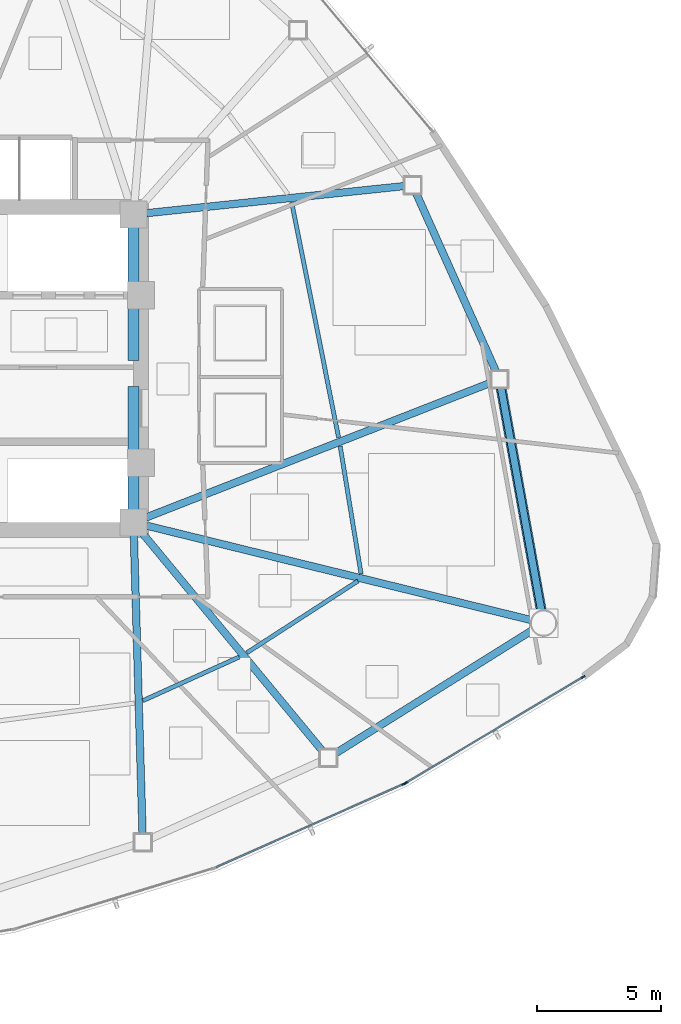
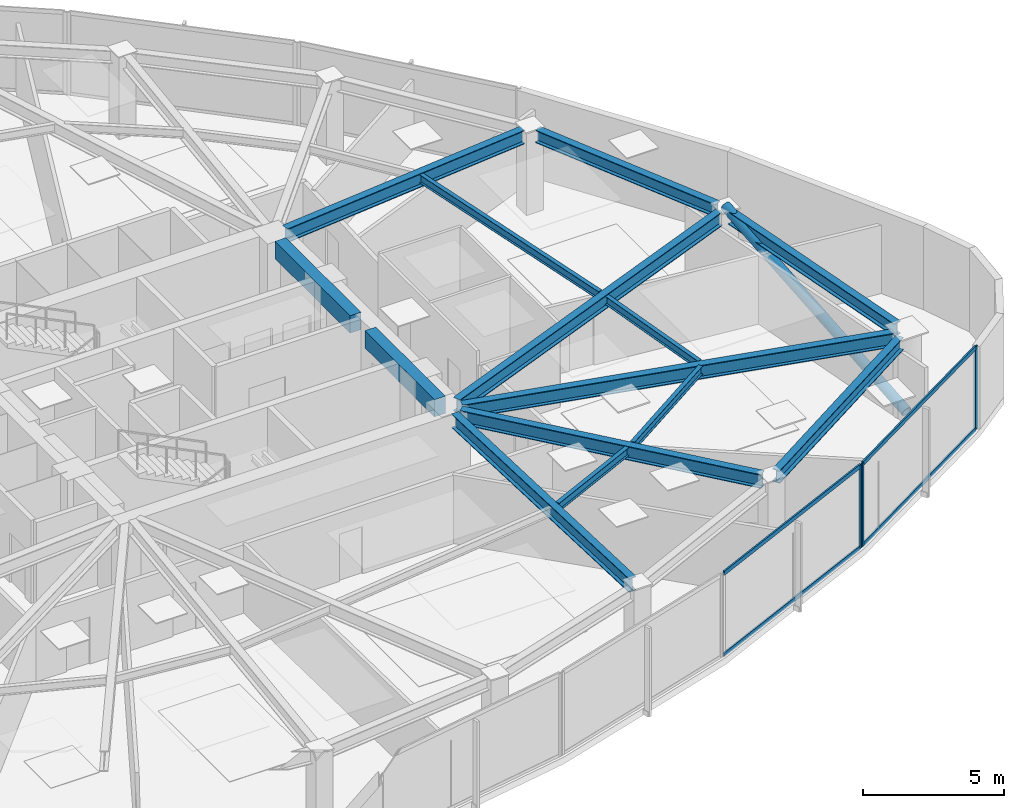
# One storey, part 6 of 17: 14 beams, 8 members, 2 elements without a shape of their own.
"""IFC4 building model written with IfcOpenShell, lengths in metres."""

from ifc_helpers import new_model, si_unit, direction, frame, origin, origin_2d, place, context, subcontext, project, spatial, rectangle, hollow_rectangle, hollow_circle, i_section, extrude, source, transform, mapped, material, layer, layer_set, material_profile, profile_set, type_object, type_shapes, element, aggregate, save


model = new_model("IFC4")

# Units and contexts
model_context = context("Model", 3, precision=1e-05, world=origin(), true_north=direction((0.0, 1.0)))
body_context = subcontext(model_context, "Body", "Model", "MODEL_VIEW")
ifc_project = project(units=[si_unit("LENGTHUNIT", "METRE"), si_unit("AREAUNIT", "SQUARE_METRE"), si_unit("VOLUMEUNIT", "CUBIC_METRE"), si_unit("PLANEANGLEUNIT", "RADIAN"), si_unit("MASSUNIT", "GRAM", prefix="KILO")], contexts=[model_context])

# Site, building, storey
site_placement = place(None, origin())
site = spatial("IfcSite", under=ifc_project, at=site_placement, CompositionType="ELEMENT")
building_placement = place(site_placement, origin())
building = spatial("IfcBuilding", under=site, at=building_placement, Name="Tavelor Broadcast Tower", CompositionType="ELEMENT")
storey_placement = place(building_placement, frame((0.0, 0.0, 82.199951171875)))
storey = spatial("IfcBuildingStorey", under=building, at=storey_placement, Name="L19", CompositionType="ELEMENT", Elevation=82.199951171875)

# Beams
ifc_material_1 = material(Name="Concrete C40/50", Category="concrete")
ifc_material_profile_1 = material_profile(ifc_material_1, rectangle(XDim=0.449951171875, YDim=0.75, at=origin_2d()), Name="RC 450x750")
ifc_profile_set_1 = profile_set([ifc_material_profile_1], Name="Concrete C40/50")
beam_type_1 = type_object("IfcBeamType", Name="Basement Core Trim Beam 450x750", PredefinedType="BEAM", material=ifc_profile_set_1)
beam_1_placement = place(storey_placement, frame((56.60009765625, 45.327880859375, 3.22509765625), z_axis=(0.0, 1.0, 0.0), x_axis=(-1.0, 0.0, 0.0)))
element("IfcBeam", 1, at=beam_1_placement, inside=storey, type_object=beam_type_1, Name="L19 Core East-N Tie Girder", PredefinedType="BEAM", context=body_context, shape_type="SweptSolid", body=[
    extrude(rectangle(XDim=0.449951171875, YDim=0.75, at=origin_2d()), origin(), (0.0, 0.0, 1.0), 5.34423828125),
])
beam_2_placement = place(storey_placement, frame((56.60009765625, 39.327880859375, 3.22509765625), z_axis=(0.0, 1.0, 0.0), x_axis=(-1.0, 0.0, 0.0)))
element("IfcBeam", 2, at=beam_2_placement, inside=storey, type_object=beam_type_1, Name="L19 Core East-S Tie Girder", PredefinedType="BEAM", context=body_context, shape_type="SweptSolid", body=[
    extrude(rectangle(XDim=0.449951171875, YDim=0.75, at=origin_2d()), origin(), (0.0, 0.0, 1.0), 4.944091796875),
])
ifc_material_2 = material(Name="Steel S355", Category="steel")
ifc_material_profile_2 = material_profile(ifc_material_2, i_section(OverallWidth=0.169921875, OverallDepth=0.360107421875, WebThickness=0.008056640625, FlangeThickness=0.0126953125, at=origin_2d()), Name="IPE 360")
ifc_profile_set_2 = profile_set([ifc_material_profile_2], Name="Steel S355")
beam_type_2 = type_object("IfcBeamType", Name="Composite Floor Joist T2 IPE 360", PredefinedType="JOIST", material=ifc_profile_set_2)
beam_3_placement = place(storey_placement, frame((56.976318359375, 31.61865234375, 3.420166015625), z_axis=(0.910576347723, 0.413340918573, 0.0), x_axis=(-0.413340918573, 0.910576347723, 0.0)))
element("IfcBeam", 3, at=beam_3_placement, inside=storey, type_object=beam_type_2, Name="L19 Secondary Composite Floor Joist 11", PredefinedType="JOIST", context=body_context, shape_type="SweptSolid", body=[
    extrude(i_section(OverallWidth=0.169921875, OverallDepth=0.360107421875, WebThickness=0.008056640625, FlangeThickness=0.0126953125, at=origin_2d()), origin(), (0.0, 0.0, 1.0), 4.26025390625),
])
beam_4_placement = place(storey_placement, frame((61.172607421875, 33.552490234375, 3.420166015625), z_axis=(0.839830816691, 0.542848228639, 0.0), x_axis=(-0.542848228639, 0.839830816691, 0.0)))
element("IfcBeam", 4, at=beam_4_placement, inside=storey, type_object=beam_type_2, Name="L19 Secondary Composite Floor Joist 12", PredefinedType="JOIST", context=body_context, shape_type="SweptSolid", body=[
    extrude(i_section(OverallWidth=0.169921875, OverallDepth=0.360107421875, WebThickness=0.008056640625, FlangeThickness=0.0126953125, at=origin_2d()), origin(), (0.0, 0.0, 1.0), 5.325439453125),
])
beam_5_placement = place(storey_placement, frame((65.767822265625, 36.72021484375, 3.420166015625), z_axis=(-0.161277112784, 0.986909161419, 0.0), x_axis=(-0.986909161419, -0.161277112784, 0.0)))
element("IfcBeam", 5, at=beam_5_placement, inside=storey, type_object=beam_type_2, Name="L19 Secondary Composite Floor Joist 13", PredefinedType="JOIST", context=body_context, shape_type="SweptSolid", body=[
    extrude(i_section(OverallWidth=0.169921875, OverallDepth=0.360107421875, WebThickness=0.008056640625, FlangeThickness=0.0126953125, at=origin_2d()), origin(), (0.0, 0.0, 1.0), 5.213623046875),
])
beam_6_placement = place(storey_placement, frame((64.8623046875, 42.2216796875, 3.420166015625), z_axis=(-0.195581157194, 0.980687519524, 0.0), x_axis=(-0.980687519524, -0.195581157194, 0.0)))
element("IfcBeam", 6, at=beam_6_placement, inside=storey, type_object=beam_type_2, Name="L19 Secondary Composite Floor Joist 14", PredefinedType="JOIST", context=body_context, shape_type="SweptSolid", body=[
    extrude(i_section(OverallWidth=0.169921875, OverallDepth=0.360107421875, WebThickness=0.008056640625, FlangeThickness=0.0126953125, at=origin_2d()), origin(), (0.0, 0.0, 1.0), 9.654296875),
])
ifc_material_profile_3 = material_profile(ifc_material_2, i_section(OverallWidth=0.300048828125, OverallDepth=0.550048828125, WebThickness=0.014892578125, FlangeThickness=0.029052734375, at=origin_2d()), Name="HEB 550")
ifc_profile_set_3 = profile_set([ifc_material_profile_3], Name="Steel S355")
beam_type_3 = type_object("IfcBeamType", Name="Perimeter Spandrel Beam T2 HEB 550", PredefinedType="SPANDREL", material=ifc_profile_set_3)
beam_7_placement = place(storey_placement, frame((64.728271484375, 29.493408203125, 3.324951171875), z_axis=(0.847666386228, 0.530529638813, 0.0), x_axis=(-0.530529638813, 0.847666386228, 0.0)))
element("IfcBeam", 7, at=beam_7_placement, inside=storey, type_object=beam_type_3, Name="L19 Framed-Tube Ring Spandrel 12", PredefinedType="SPANDREL", context=body_context, shape_type="SweptSolid", body=[
    extrude(i_section(OverallWidth=0.300048828125, OverallDepth=0.550048828125, WebThickness=0.014892578125, FlangeThickness=0.029052734375, at=origin_2d()), origin(), (0.0, 0.0, 1.0), 9.385009765625),
])
beam_8_placement = place(storey_placement, frame((73.02685546875, 35.248046875, 3.324951171875), z_axis=(-0.177746542691, 0.984076301189, 0.0), x_axis=(-0.984076301189, -0.177746542691, 0.0)))
element("IfcBeam", 8, at=beam_8_placement, inside=storey, type_object=beam_type_3, Name="L19 Framed-Tube Ring Spandrel 13", PredefinedType="SPANDREL", context=body_context, shape_type="SweptSolid", body=[
    extrude(i_section(OverallWidth=0.300048828125, OverallDepth=0.550048828125, WebThickness=0.014892578125, FlangeThickness=0.029052734375, at=origin_2d()), origin(), (0.0, 0.0, 1.0), 9.13134765625),
])
beam_9_placement = place(storey_placement, frame((71.206787109375, 44.87109375, 3.324951171875), z_axis=(-0.408951132019, 0.912556284084, 0.0), x_axis=(-0.912556284084, -0.408951132019, 0.0)))
element("IfcBeam", 9, at=beam_9_placement, inside=storey, type_object=beam_type_3, Name="L19 Framed-Tube Ring Spandrel 14", PredefinedType="SPANDREL", context=body_context, shape_type="SweptSolid", body=[
    extrude(i_section(OverallWidth=0.300048828125, OverallDepth=0.550048828125, WebThickness=0.014892578125, FlangeThickness=0.029052734375, at=origin_2d()), origin(), (0.0, 0.0, 1.0), 7.895263671875),
])

# Member
ifc_material_profile_4 = material_profile(ifc_material_2, hollow_circle(Radius=0.203125, WallThickness=0.02001953125, at=origin_2d()), Name="CHS 406.4x20")
ifc_profile_set_4 = profile_set([ifc_material_profile_4], Name="Steel S355")
member_type_1 = type_object("IfcMemberType", Name="Perimeter Tube Brace T2 CHS 406.4x20", PredefinedType="BRACE", material=ifc_profile_set_4)
member_1_placement = place(storey_placement, frame((73.117919921875, 34.743896484375, 0.0), z_axis=(-0.167205980675, 0.925685078259, 0.339336552578), x_axis=(-0.984075144607, -0.177752945874, 0.0)))
element("IfcMember", 10, at=member_1_placement, inside=storey, type_object=member_type_1, Name="L19 Corner Tube Diagonal Brace 3", PredefinedType="BRACE", context=body_context, shape_type="SweptSolid", body=[
    extrude(hollow_circle(Radius=0.203125, WallThickness=0.02001953125, at=origin_2d()), origin(), (0.0, 0.0, 1.0), 10.609130859375),
])

# Beams
ifc_material_profile_5 = material_profile(ifc_material_2, i_section(OverallWidth=0.300048828125, OverallDepth=0.60009765625, WebThickness=0.015380859375, FlangeThickness=0.030029296875, at=origin_2d()), Name="HEB 600")
ifc_profile_set_5 = profile_set([ifc_material_profile_5], Name="Steel S355")
beam_type_4 = type_object("IfcBeamType", Name="Radial Floor Girder T2 HEB 600", PredefinedType="BEAM", material=ifc_profile_set_5)
beam_10_placement = place(storey_placement, frame((56.615478515625, 38.272216796875, 3.300048828125), z_axis=(0.029126279866, -0.999575739912, 0.0), x_axis=(0.999575739912, 0.029126279866, 0.0)))
element("IfcBeam", 11, at=beam_10_placement, inside=storey, type_object=beam_type_4, Name="L19 Radial Primary Floor Girder 11", PredefinedType="BEAM", context=body_context, shape_type="SweptSolid", body=[
    extrude(i_section(OverallWidth=0.300048828125, OverallDepth=0.60009765625, WebThickness=0.015380859375, FlangeThickness=0.030029296875, at=origin_2d()), origin(), (0.0, 0.0, 1.0), 12.02001953125),
])
beam_11_placement = place(storey_placement, frame((56.9365234375, 38.39306640625, 3.300048828125), z_axis=(0.637277760564, -0.770634190709, 0.0), x_axis=(0.770634190709, 0.637277760564, 0.0)))
element("IfcBeam", 12, at=beam_11_placement, inside=storey, type_object=beam_type_4, Name="L19 Radial Primary Floor Girder 12", PredefinedType="BEAM", context=body_context, shape_type="SweptSolid", body=[
    extrude(i_section(OverallWidth=0.300048828125, OverallDepth=0.60009765625, WebThickness=0.015380859375, FlangeThickness=0.030029296875, at=origin_2d()), origin(), (0.0, 0.0, 1.0), 11.44384765625),
])
beam_12_placement = place(storey_placement, frame((57.11279296875, 38.674072265625, 3.300048828125), z_axis=(0.971151145926, -0.238464780979, 0.0), x_axis=(0.238464780979, 0.971151145926, 0.0)))
element("IfcBeam", 13, at=beam_12_placement, inside=storey, type_object=beam_type_4, Name="L19 Radial Primary Floor Girder 13", PredefinedType="BEAM", context=body_context, shape_type="SweptSolid", body=[
    extrude(i_section(OverallWidth=0.300048828125, OverallDepth=0.60009765625, WebThickness=0.015380859375, FlangeThickness=0.030029296875, at=origin_2d()), origin(), (0.0, 0.0, 1.0), 15.96826171875),
])
beam_13_placement = place(storey_placement, frame((57.091796875, 38.9921875, 3.300048828125), z_axis=(0.931341899941, 0.36414593972, 0.0), x_axis=(-0.36414593972, 0.931341899941, 0.0)))
element("IfcBeam", 14, at=beam_13_placement, inside=storey, type_object=beam_type_4, Name="L19 Radial Primary Floor Girder 14", PredefinedType="BEAM", context=body_context, shape_type="SweptSolid", body=[
    extrude(i_section(OverallWidth=0.300048828125, OverallDepth=0.60009765625, WebThickness=0.015380859375, FlangeThickness=0.030029296875, at=origin_2d()), origin(), (0.0, 0.0, 1.0), 14.967041015625),
])
beam_14_placement = place(storey_placement, frame((57.125, 51.255126953125, 3.300048828125), z_axis=(0.994510577777, 0.104636086941, 0.0), x_axis=(-0.104636086941, 0.994510577777, 0.0)))
element("IfcBeam", 15, at=beam_14_placement, inside=storey, type_object=beam_type_4, Name="L19 Radial Primary Floor Girder 15", PredefinedType="BEAM", context=body_context, shape_type="SweptSolid", body=[
    extrude(i_section(OverallWidth=0.300048828125, OverallDepth=0.60009765625, WebThickness=0.015380859375, FlangeThickness=0.030029296875, at=origin_2d()), origin(), (0.0, 0.0, 1.0), 10.43896484375),
])

# Curtain wall, member
ifc_material_3 = material(Name="Architectural Anodized Aluminium", Category="aluminium")
ifc_layer = layer(ifc_material_3, 0.179931640625)
ifc_layer_set = layer_set([ifc_layer], Name="Architectural Anodized Aluminium")
curtain_wall_type = type_object("IfcCurtainWallType", Name="Tower Low-Zone Unitised Curtain Wall CW02", PredefinedType="NOTDEFINED", material=ifc_layer_set)
curtain_wall_1_placement = place(storey_placement, origin())
curtain_wall_1 = element("IfcCurtainWall", 16, at=curtain_wall_1_placement, inside=storey, type_object=curtain_wall_type, Name="L19 Curtain Wall CW02 Run 187", PredefinedType="NOTDEFINED")
ifc_material_profile_6 = material_profile(ifc_material_3, hollow_rectangle(XDim=0.06494140625, YDim=0.179931640625, WallThickness=0.02197265625, at=origin_2d()), Name="RHS 65x180x22")
ifc_profile_set_6 = profile_set([ifc_material_profile_6], Name="Architectural Anodized Aluminium")
member_type_2 = type_object("IfcMemberType", Name="CW02 Extruded Aluminium Mullion 65x180", PredefinedType="MULLION", material=ifc_profile_set_6)
shared_shape_1 = source(origin(), body_context, "Body", "SweptSolid", [
    extrude(hollow_rectangle(XDim=0.06494140625, YDim=0.179931640625, WallThickness=0.02197265625, at=origin_2d()), origin(), (0.0, 0.0, 1.0), 3.60009765625),
])
type_shapes(member_type_2, [shared_shape_1])
member_2_placement = place(storey_placement, frame((67.485107421875, 28.26123046875, 0.0), z_axis=(0.0, 0.0, 1.0), x_axis=(-0.405552930307, 0.914071562143, 0.0)))
member_2 = element("IfcMember", 17, at=member_2_placement, type_object=member_type_2, Name="CW02 mullion 2", PredefinedType="MULLION", context=body_context, shape_type="MappedRepresentation", body=[
    mapped(shared_shape_1, transform((0.0, 0.0, 0.0), scale=1.0)),
])

# Curtain wall, members
curtain_wall_2_placement = place(storey_placement, origin())
curtain_wall_2 = element("IfcCurtainWall", 18, at=curtain_wall_2_placement, inside=storey, type_object=curtain_wall_type, Name="L19 Curtain Wall CW02 Run 188", PredefinedType="NOTDEFINED")
member_3_placement = place(storey_placement, frame((67.569091796875, 28.304931640625, 0.0), z_axis=(0.0, 0.0, 1.0), x_axis=(-0.513183091508, 0.858279158893, 0.0)))
member_3 = element("IfcMember", 19, at=member_3_placement, type_object=member_type_2, Name="CW02 mullion 1", PredefinedType="MULLION", context=body_context, shape_type="MappedRepresentation", body=[
    mapped(shared_shape_1, transform((0.0, 0.0, 0.0), scale=1.0)),
])
member_4_placement = place(storey_placement, frame((74.708984375, 32.573974609375, 0.0), z_axis=(0.0, 0.0, 1.0), x_axis=(-0.513183091508, 0.858279158893, 0.0)))
member_4 = element("IfcMember", 20, at=member_4_placement, type_object=member_type_2, Name="CW02 mullion 2", PredefinedType="MULLION", context=body_context, shape_type="MappedRepresentation", body=[
    mapped(shared_shape_1, transform((0.0, 0.0, 0.0), scale=1.0)),
])

# Member
ifc_material_profile_7 = material_profile(ifc_material_3, hollow_rectangle(XDim=0.06494140625, YDim=0.179931640625, WallThickness=0.02197265625, at=origin_2d()), Name="RHS 65x180x22")
ifc_profile_set_7 = profile_set([ifc_material_profile_7], Name="Architectural Anodized Aluminium")
member_type_3 = type_object("IfcMemberType", Name="CW02 Extruded Aluminium Transom 65x180", PredefinedType="USERDEFINED", material=ifc_profile_set_7)
shared_shape_2 = source(origin(), body_context, "Body", "SweptSolid", [
    extrude(hollow_rectangle(XDim=0.06494140625, YDim=0.179931640625, WallThickness=0.02197265625, at=origin_2d()), origin(), (0.0, 0.0, 1.0), 8.23779296875),
])
member_5_placement = place(storey_placement, frame((59.92529296875, 24.9072265625, 0.032470703125), z_axis=(0.914075333382, 0.405544430244, 0.0), x_axis=(-0.405544430244, 0.914075333382, 0.0)))
member_5 = element("IfcMember", 21, at=member_5_placement, type_object=member_type_3, Name="CW02 transom 1.1", ObjectType="TRANSOM", PredefinedType="USERDEFINED", context=body_context, shape_type="MappedRepresentation", body=[
    mapped(shared_shape_2, transform((0.0, 0.0, 0.0), scale=1.0)),
])

member_6_placement = place(storey_placement, frame((59.92529296875, 24.9072265625, 3.567626953125), z_axis=(0.914075333382, 0.405544430244, 0.0), x_axis=(-0.405544430244, 0.914075333382, 0.0)))
member_6 = element("IfcMember", 22, at=member_6_placement, type_object=member_type_3, Name="CW02 transom 1.2", ObjectType="TRANSOM", PredefinedType="USERDEFINED", context=body_context, shape_type="MappedRepresentation", body=[
    mapped(shared_shape_2, transform((0.0, 0.0, 0.0), scale=1.0)),
])

aggregate(curtain_wall_1, [member_2, member_5, member_6])

shared_shape_3 = source(origin(), body_context, "Body", "SweptSolid", [
    extrude(hollow_rectangle(XDim=0.06494140625, YDim=0.179931640625, WallThickness=0.02197265625, at=origin_2d()), origin(), (0.0, 0.0, 1.0), 8.253662109375),
])
type_shapes(member_type_3, [shared_shape_2, shared_shape_3])
member_7_placement = place(storey_placement, frame((67.59716796875, 28.321533203125, 0.032470703125), z_axis=(0.858282733033, 0.513177113847, 0.0), x_axis=(-0.513177113847, 0.858282733033, 0.0)))
member_7 = element("IfcMember", 23, at=member_7_placement, type_object=member_type_3, Name="CW02 transom 1.1", ObjectType="TRANSOM", PredefinedType="USERDEFINED", context=body_context, shape_type="MappedRepresentation", body=[
    mapped(shared_shape_3, transform((0.0, 0.0, 0.0), scale=1.0)),
])

member_8_placement = place(storey_placement, frame((67.59716796875, 28.321533203125, 3.567626953125), z_axis=(0.858282733033, 0.513177113847, 0.0), x_axis=(-0.513177113847, 0.858282733033, 0.0)))
member_8 = element("IfcMember", 24, at=member_8_placement, type_object=member_type_3, Name="CW02 transom 1.2", ObjectType="TRANSOM", PredefinedType="USERDEFINED", context=body_context, shape_type="MappedRepresentation", body=[
    mapped(shared_shape_3, transform((0.0, 0.0, 0.0), scale=1.0)),
])

aggregate(curtain_wall_2, [member_3, member_4, member_7, member_8])

save(model, "model.ifc")
